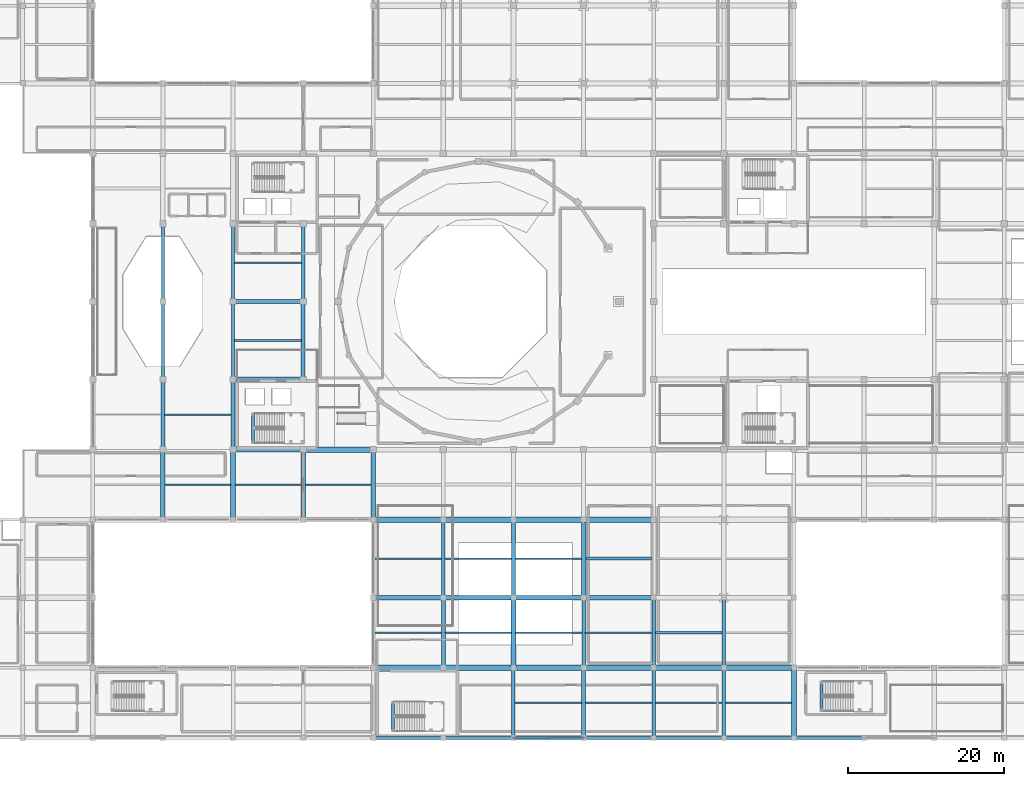
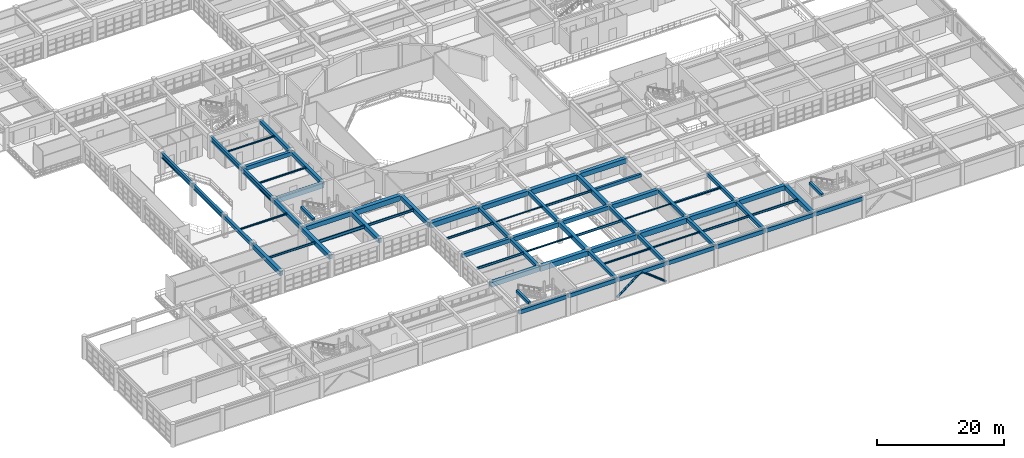
# One storey, part 42 of 133: 72 beams, 2 members.
"""IFC4 building model written with IfcOpenShell, lengths in metres."""

from ifc_helpers import new_model, si_unit, direction, frame, origin, origin_2d, place, context, subcontext, project, spatial, rectangle, hollow_circle, i_section, extrude, material, material_profile, profile_set, type_object, element, save


model = new_model("IFC4")

# Units and contexts
model_context = context("Model", 3, precision=1e-05, world=origin(), true_north=direction((0.0, 1.0)))
body_context = subcontext(model_context, "Body", "Model", "MODEL_VIEW")
ifc_project = project(units=[si_unit("LENGTHUNIT", "METRE"), si_unit("AREAUNIT", "SQUARE_METRE"), si_unit("VOLUMEUNIT", "CUBIC_METRE"), si_unit("PLANEANGLEUNIT", "RADIAN"), si_unit("MASSUNIT", "GRAM", prefix="KILO")], contexts=[model_context])

# Site, building, storey
site_placement = place(None, origin())
site = spatial("IfcSite", under=ifc_project, at=site_placement, CompositionType="ELEMENT")
building_placement = place(site_placement, origin())
building = spatial("IfcBuilding", under=site, at=building_placement, Name="Miravela Opera House", CompositionType="ELEMENT")
storey_placement = place(building_placement, frame((0.0, 0.0, 5.10009765625)))
storey = spatial("IfcBuildingStorey", under=building, at=storey_placement, Name="L01", CompositionType="ELEMENT", Elevation=5.10009765625)

# Beams
ifc_material_1 = material(Name="Concrete C35/45", Category="concrete")
ifc_material_profile_1 = material_profile(ifc_material_1, rectangle(XDim=0.39990234375, YDim=0.60009765625, at=origin_2d()), Name="RC-BM-400X600")
ifc_profile_set_1 = profile_set([ifc_material_profile_1])
beam_type_1 = type_object("IfcBeamType", Name="STR-BM-RC400X600", PredefinedType="JOIST", material=ifc_profile_set_1)
beam_1_placement = place(storey_placement, frame((90.284912109375, 23.0, 3.85986328125), z_axis=(1.0, 0.0, 0.0), x_axis=(0.0, 1.0, 0.0)))
element("IfcBeam", 1, at=beam_1_placement, inside=storey, type_object=beam_type_1, Name="Secondary Floor Joist L01 11-12/C-D", PredefinedType="JOIST", context=body_context, shape_type="SweptSolid", body=[
    extrude(rectangle(XDim=0.39990234375, YDim=0.60009765625, at=origin_2d()), origin(), (0.0, 0.0, 1.0), 8.43017578125),
])
for number, where, z_axis, x_axis, name in (
    (2, (47.5400390625, 37.800048828125, 4.119873046875), (0.0, 1.0, 0.0), (-1.0, 0.0, 0.0), "Stair K2 Opening Header Trimmer Beam 02"),
    (3, (65.5400390625, 0.800048828125, 4.119873046875), (0.0, 1.0, 0.0), (-1.0, 0.0, 0.0), "Stair K6 Opening Header Trimmer Beam 02"),
):
    element("IfcBeam", number, at=place(storey_placement, frame(where, z_axis=z_axis, x_axis=x_axis)), inside=storey, type_object=beam_type_1, Name=name, PredefinedType="JOIST", context=body_context, shape_type="SweptSolid", body=[
        extrude(rectangle(XDim=0.39990234375, YDim=0.60009765625, at=origin_2d()), origin(), (0.0, 0.0, 1.0), 3.8798828125),
    ])
beam_2_placement = place(storey_placement, frame((120.5400390625, 3.39990234375, 4.119873046875), z_axis=(0.0, 1.0, 0.0), x_axis=(-1.0, 0.0, 0.0)))
element("IfcBeam", 4, at=beam_2_placement, inside=storey, type_object=beam_type_1, Name="Stair ST-10 Opening Header Trimmer Beam 02", PredefinedType="JOIST", context=body_context, shape_type="SweptSolid", body=[
    extrude(rectangle(XDim=0.39990234375, YDim=0.60009765625, at=origin_2d()), origin(), (0.0, 0.0, 1.0), 3.880126953125),
])
ifc_material_profile_2 = material_profile(ifc_material_1, rectangle(XDim=0.449951171875, YDim=0.64990234375, at=origin_2d()), Name="RC-BM-450X650")
ifc_profile_set_2 = profile_set([ifc_material_profile_2])
beam_type_2 = type_object("IfcBeamType", Name="STR-BM-RC450X650", PredefinedType="BEAM", material=ifc_profile_set_2)
for number, where, z_axis, x_axis, name in (
    (5, (81.0, 0.080078125, 3.8349609375), (0.0, 1.0, 0.0), (-1.0, 0.0, 0.0), "Floor Girder L01 10/A-B"),
    (6, (90.0, 9.080078125, 3.8349609375), (0.0, 1.0, 0.0), (-1.0, 0.0, 0.0), "Floor Girder L01 11/B-C"),
    (7, (99.0, 9.080078125, 3.8349609375), (0.0, 1.0, 0.0), (-1.0, 0.0, 0.0), "Floor Girder L01 12/B-C"),
    (8, (108.0, 9.080078125, 3.8349609375), (0.0, 1.0, 0.0), (-1.0, 0.0, 0.0), "Floor Girder L01 13/B-C"),
):
    element("IfcBeam", number, at=place(storey_placement, frame(where, z_axis=z_axis, x_axis=x_axis)), inside=storey, type_object=beam_type_2, Name=name, PredefinedType="BEAM", context=body_context, shape_type="SweptSolid", body=[
        extrude(rectangle(XDim=0.449951171875, YDim=0.64990234375, at=origin_2d()), origin(), (0.0, 0.0, 1.0), 8.83984375),
    ])
ifc_material_profile_3 = material_profile(ifc_material_1, rectangle(XDim=0.47998046875, YDim=0.679931640625, at=origin_2d()), Name="RC-BM-480X680")
ifc_profile_set_3 = profile_set([ifc_material_profile_3])
beam_type_3 = type_object("IfcBeamType", Name="STR-BM-RC480X680", PredefinedType="BEAM", material=ifc_profile_set_3)
for number, where, z_axis, x_axis, name in (
    (9, (54.0, 56.080078125, 3.81982421875), (0.0, 1.0, 0.0), (-1.0, 0.0, 0.0), "Floor Girder L01 7/G-H"),
    (10, (72.0, 18.080078125, 3.81982421875), (0.0, 1.0, 0.0), (-1.0, 0.0, 0.0), "Floor Girder L01 9/C-D"),
):
    element("IfcBeam", number, at=place(storey_placement, frame(where, z_axis=z_axis, x_axis=x_axis)), inside=storey, type_object=beam_type_3, Name=name, PredefinedType="BEAM", context=body_context, shape_type="SweptSolid", body=[
        extrude(rectangle(XDim=0.47998046875, YDim=0.679931640625, at=origin_2d()), origin(), (0.0, 0.0, 1.0), 9.83984375),
    ])
for number, where, z_axis, x_axis, name in (
    (11, (90.0, 0.080078125, 3.81982421875), (0.0, 1.0, 0.0), (-1.0, 0.0, 0.0), "Floor Girder L01 11/A-B"),
    (12, (99.0, 0.080078125, 3.81982421875), (0.0, 1.0, 0.0), (-1.0, 0.0, 0.0), "Floor Girder L01 12/A-B"),
    (13, (108.0, 0.080078125, 3.81982421875), (0.0, 1.0, 0.0), (-1.0, 0.0, 0.0), "Floor Girder L01 13/A-B"),
):
    element("IfcBeam", number, at=place(storey_placement, frame(where, z_axis=z_axis, x_axis=x_axis)), inside=storey, type_object=beam_type_3, Name=name, PredefinedType="BEAM", context=body_context, shape_type="SweptSolid", body=[
        extrude(rectangle(XDim=0.47998046875, YDim=0.679931640625, at=origin_2d()), origin(), (0.0, 0.0, 1.0), 8.83984375),
    ])
ifc_material_profile_4 = material_profile(ifc_material_1, rectangle(XDim=0.5, YDim=0.699951171875, at=origin_2d()), Name="RC-BM-500X700")
ifc_profile_set_4 = profile_set([ifc_material_profile_4])
beam_type_4 = type_object("IfcBeamType", Name="STR-BM-RC500X700", PredefinedType="BEAM", material=ifc_profile_set_4)
for number, where, z_axis, x_axis, name in (
    (14, (36.0, 37.080078125, 3.809814453125), (0.0, 1.0, 0.0), (-1.0, 0.0, 0.0), "Floor Girder L01 5/E-F"),
    (15, (45.0, 37.080078125, 3.809814453125), (0.0, 1.0, 0.0), (-1.0, 0.0, 0.0), "Floor Girder L01 6/E-F"),
):
    element("IfcBeam", number, at=place(storey_placement, frame(where, z_axis=z_axis, x_axis=x_axis)), inside=storey, type_object=beam_type_4, Name=name, PredefinedType="BEAM", context=body_context, shape_type="SweptSolid", body=[
        extrude(rectangle(XDim=0.5, YDim=0.699951171875, at=origin_2d()), origin(), (0.0, 0.0, 1.0), 8.83984375),
    ])
beam_3_placement = place(storey_placement, frame((54.0, 46.080078125, 3.809814453125), z_axis=(0.0, 1.0, 0.0), x_axis=(-1.0, 0.0, 0.0)))
element("IfcBeam", 16, at=beam_3_placement, inside=storey, type_object=beam_type_4, Name="Floor Girder L01 7/F-G", PredefinedType="BEAM", context=body_context, shape_type="SweptSolid", body=[
    extrude(rectangle(XDim=0.5, YDim=0.699951171875, at=origin_2d()), origin(), (0.0, 0.0, 1.0), 9.83984375),
])
beam_4_placement = place(storey_placement, frame((72.0, 9.080078125, 3.809814453125), z_axis=(0.0, 1.0, 0.0), x_axis=(-1.0, 0.0, 0.0)))
element("IfcBeam", 17, at=beam_4_placement, inside=storey, type_object=beam_type_4, Name="Floor Girder L01 9/B-C", PredefinedType="BEAM", context=body_context, shape_type="SweptSolid", body=[
    extrude(rectangle(XDim=0.5, YDim=0.699951171875, at=origin_2d()), origin(), (0.0, 0.0, 1.0), 8.83984375),
])
beam_5_placement = place(storey_placement, frame((81.0, 18.080078125, 3.809814453125), z_axis=(0.0, 1.0, 0.0), x_axis=(-1.0, 0.0, 0.0)))
element("IfcBeam", 18, at=beam_5_placement, inside=storey, type_object=beam_type_4, Name="Floor Girder L01 10/C-D", PredefinedType="BEAM", context=body_context, shape_type="SweptSolid", body=[
    extrude(rectangle(XDim=0.5, YDim=0.699951171875, at=origin_2d()), origin(), (0.0, 0.0, 1.0), 9.83984375),
])
ifc_material_profile_5 = material_profile(ifc_material_1, rectangle(XDim=0.550048828125, YDim=0.75, at=origin_2d()), Name="RC-BM-550X750")
ifc_profile_set_5 = profile_set([ifc_material_profile_5])
beam_type_5 = type_object("IfcBeamType", Name="STR-BM-RC550X750", PredefinedType="BEAM", material=ifc_profile_set_5)
for number, where, z_axis, x_axis, name in (
    (19, (45.080078125, 56.0, 3.784912109375), (1.0, 0.0, 0.0), (0.0, 1.0, 0.0), "Floor Girder L01 6-7/G"),
    (20, (63.080078125, 18.0, 3.784912109375), (1.0, 0.0, 0.0), (0.0, 1.0, 0.0), "Floor Girder L01 8-9/C"),
    (21, (81.080078125, 18.0, 3.784912109375), (1.0, 0.0, 0.0), (0.0, 1.0, 0.0), "Floor Girder L01 10-11/C"),
):
    element("IfcBeam", number, at=place(storey_placement, frame(where, z_axis=z_axis, x_axis=x_axis)), inside=storey, type_object=beam_type_5, Name=name, PredefinedType="BEAM", context=body_context, shape_type="SweptSolid", body=[
        extrude(rectangle(XDim=0.550048828125, YDim=0.75, at=origin_2d()), origin(), (0.0, 0.0, 1.0), 8.83984375),
    ])
ifc_material_2 = material(Name="Concrete C40/50", Category="concrete")
ifc_material_profile_6 = material_profile(ifc_material_2, rectangle(XDim=0.60009765625, YDim=0.85009765625, at=origin_2d()), Name="RC-BM-600X850")
ifc_profile_set_6 = profile_set([ifc_material_profile_6])
beam_type_6 = type_object("IfcBeamType", Name="STR-BM-RC600X850", PredefinedType="BEAM", material=ifc_profile_set_6)
for number, where, z_axis, x_axis, name in (
    (22, (45.080078125, 37.0, 3.73486328125), (1.0, 0.0, 0.0), (0.0, 1.0, 0.0), "Floor Girder L01 6-7/E"),
    (23, (72.080078125, 18.0, 3.73486328125), (1.0, 0.0, 0.0), (0.0, 1.0, 0.0), "Floor Girder L01 9-10/C"),
    (24, (90.080078125, 18.0, 3.73486328125), (1.0, 0.0, 0.0), (0.0, 1.0, 0.0), "Floor Girder L01 11-12/C"),
    (25, (36.0, 28.080078125, 3.73486328125), (0.0, 1.0, 0.0), (-1.0, 0.0, 0.0), "Floor Girder L01 5/D-E"),
    (26, (45.0, 28.080078125, 3.73486328125), (0.0, 1.0, 0.0), (-1.0, 0.0, 0.0), "Floor Girder L01 6/D-E"),
    (27, (54.0, 28.080078125, 3.73486328125), (0.0, 1.0, 0.0), (-1.0, 0.0, 0.0), "Floor Girder L01 7/D-E"),
    (28, (63.0, 28.080078125, 3.73486328125), (0.0, 1.0, 0.0), (-1.0, 0.0, 0.0), "Floor Girder L01 8/D-E"),
    (29, (81.0, 9.080078125, 3.73486328125), (0.0, 1.0, 0.0), (-1.0, 0.0, 0.0), "Floor Girder L01 10/B-C"),
):
    element("IfcBeam", number, at=place(storey_placement, frame(where, z_axis=z_axis, x_axis=x_axis)), inside=storey, type_object=beam_type_6, Name=name, PredefinedType="BEAM", context=body_context, shape_type="SweptSolid", body=[
        extrude(rectangle(XDim=0.60009765625, YDim=0.85009765625, at=origin_2d()), origin(), (0.0, 0.0, 1.0), 8.83984375),
    ])
beam_6_placement = place(storey_placement, frame((90.0, 18.080078125, 3.73486328125), z_axis=(0.0, 1.0, 0.0), x_axis=(-1.0, 0.0, 0.0)))
element("IfcBeam", 30, at=beam_6_placement, inside=storey, type_object=beam_type_6, Name="Floor Girder L01 11/C-D", PredefinedType="BEAM", context=body_context, shape_type="SweptSolid", body=[
    extrude(rectangle(XDim=0.60009765625, YDim=0.85009765625, at=origin_2d()), origin(), (0.0, 0.0, 1.0), 9.83984375),
])
beam_7_placement = place(storey_placement, frame((117.0, 0.080078125, 3.73486328125), z_axis=(0.0, 1.0, 0.0), x_axis=(-1.0, 0.0, 0.0)))
element("IfcBeam", 31, at=beam_7_placement, inside=storey, type_object=beam_type_6, Name="Floor Girder L01 14/A-B", PredefinedType="BEAM", context=body_context, shape_type="SweptSolid", body=[
    extrude(rectangle(XDim=0.60009765625, YDim=0.85009765625, at=origin_2d()), origin(), (0.0, 0.0, 1.0), 8.83984375),
])
ifc_material_profile_7 = material_profile(ifc_material_2, rectangle(XDim=0.64990234375, YDim=0.89990234375, at=origin_2d()), Name="RC-BM-650X900")
ifc_profile_set_7 = profile_set([ifc_material_profile_7])
beam_type_7 = type_object("IfcBeamType", Name="STR-BM-RC650X900", PredefinedType="BEAM", material=ifc_profile_set_7)
for number, where, z_axis, x_axis, name in (
    (32, (45.080078125, 46.0, 3.7099609375), (1.0, 0.0, 0.0), (0.0, 1.0, 0.0), "Floor Girder L01 6-7/F"),
    (33, (63.080078125, 9.0, 3.7099609375), (1.0, 0.0, 0.0), (0.0, 1.0, 0.0), "Floor Girder L01 8-9/B"),
    (34, (72.080078125, 28.0, 3.7099609375), (1.0, 0.0, 0.0), (0.0, 1.0, 0.0), "Floor Girder L01 9-10/D"),
    (35, (81.080078125, 9.0, 3.7099609375), (1.0, 0.0, 0.0), (0.0, 1.0, 0.0), "Floor Girder L01 10-11/B"),
    (36, (90.080078125, 28.0, 3.7099609375), (1.0, 0.0, 0.0), (0.0, 1.0, 0.0), "Floor Girder L01 11-12/D"),
    (37, (99.080078125, 9.0, 3.7099609375), (1.0, 0.0, 0.0), (0.0, 1.0, 0.0), "Floor Girder L01 12-13/B"),
    (38, (108.080078125, 9.0, 3.7099609375), (1.0, 0.0, 0.0), (0.0, 1.0, 0.0), "Floor Girder L01 13-14/B"),
):
    element("IfcBeam", number, at=place(storey_placement, frame(where, z_axis=z_axis, x_axis=x_axis)), inside=storey, type_object=beam_type_7, Name=name, PredefinedType="BEAM", context=body_context, shape_type="SweptSolid", body=[
        extrude(rectangle(XDim=0.64990234375, YDim=0.89990234375, at=origin_2d()), origin(), (0.0, 0.0, 1.0), 8.83984375),
    ])
ifc_material_profile_8 = material_profile(ifc_material_2, rectangle(XDim=0.699951171875, YDim=1.0, at=origin_2d()), Name="RC-BM-700X1000")
ifc_profile_set_8 = profile_set([ifc_material_profile_8])
beam_type_8 = type_object("IfcBeamType", Name="STR-BM-RC700X1000", PredefinedType="BEAM", material=ifc_profile_set_8)
for number, where, z_axis, x_axis, name in (
    (39, (54.080078125, 37.0, 3.659912109375), (1.0, 0.0, 0.0), (0.0, 1.0, 0.0), "Floor Girder L01 7-8/E"),
    (40, (63.080078125, 28.0, 3.659912109375), (1.0, 0.0, 0.0), (0.0, 1.0, 0.0), "Floor Girder L01 8-9/D"),
    (41, (72.080078125, 9.0, 3.659912109375), (1.0, 0.0, 0.0), (0.0, 1.0, 0.0), "Floor Girder L01 9-10/B"),
    (42, (81.080078125, 28.0, 3.659912109375), (1.0, 0.0, 0.0), (0.0, 1.0, 0.0), "Floor Girder L01 10-11/D"),
    (43, (90.080078125, 9.0, 3.659912109375), (1.0, 0.0, 0.0), (0.0, 1.0, 0.0), "Floor Girder L01 11-12/B"),
):
    element("IfcBeam", number, at=place(storey_placement, frame(where, z_axis=z_axis, x_axis=x_axis)), inside=storey, type_object=beam_type_8, Name=name, PredefinedType="BEAM", context=body_context, shape_type="SweptSolid", body=[
        extrude(rectangle(XDim=0.699951171875, YDim=1.0, at=origin_2d()), origin(), (0.0, 0.0, 1.0), 8.83984375),
    ])
ifc_material_3 = material(Name="Structural steel ASTM A992 Gr. 50", Category="steel")
ifc_material_profile_9 = material_profile(ifc_material_3, i_section(OverallWidth=0.1650390625, OverallDepth=0.200927734375, WebThickness=0.006103515625, FlangeThickness=0.01025390625, FilletRadius=0.010009765625, at=origin_2d()), Name="W200X36")
ifc_profile_set_9 = profile_set([ifc_material_profile_9])
beam_type_9 = type_object("IfcBeamType", Name="STR-BM-W200X36", PredefinedType="LINTEL", material=ifc_profile_set_9)
beam_8_placement = place(storey_placement, frame((72.22509765625, 23.0, 4.059326171875), z_axis=(1.0, 0.0, 0.0), x_axis=(0.0, 1.0, 0.0)))
element("IfcBeam", 44, at=beam_8_placement, inside=storey, type_object=beam_type_9, Name="Secondary Floor Joist L01 9-10/C-D", PredefinedType="LINTEL", context=body_context, shape_type="SweptSolid", body=[
    extrude(i_section(OverallWidth=0.1650390625, OverallDepth=0.200927734375, WebThickness=0.006103515625, FlangeThickness=0.01025390625, FilletRadius=0.010009765625, at=origin_2d()), origin(), (0.0, 0.0, 1.0), 8.539794921875),
])
beam_9_placement = place(storey_placement, frame((90.2099609375, 13.5, 4.059326171875), z_axis=(1.0, 0.0, 0.0), x_axis=(0.0, 1.0, 0.0)))
element("IfcBeam", 45, at=beam_9_placement, inside=storey, type_object=beam_type_9, Name="Secondary Floor Joist L01 11-12/B-C", PredefinedType="LINTEL", context=body_context, shape_type="SweptSolid", body=[
    extrude(i_section(OverallWidth=0.1650390625, OverallDepth=0.200927734375, WebThickness=0.006103515625, FlangeThickness=0.01025390625, FilletRadius=0.010009765625, at=origin_2d()), origin(), (0.0, 0.0, 1.0), 8.580078125),
])
ifc_material_profile_10 = material_profile(ifc_material_3, i_section(OverallWidth=0.201904296875, OverallDepth=0.2470703125, WebThickness=0.00732421875, FlangeThickness=0.010986328125, FilletRadius=0.011962890625, at=origin_2d()), Name="W250X49")
ifc_profile_set_10 = profile_set([ifc_material_profile_10])
beam_type_10 = type_object("IfcBeamType", Name="STR-BM-W250X49", PredefinedType="LINTEL", material=ifc_profile_set_10)
beam_10_placement = place(storey_placement, frame((45.194091796875, 61.0, 4.036376953125), z_axis=(1.0, 0.0, 0.0), x_axis=(0.0, 1.0, 0.0)))
element("IfcBeam", 46, at=beam_10_placement, inside=storey, type_object=beam_type_10, Name="Secondary Floor Joist L01 6-7/G-H", PredefinedType="LINTEL", context=body_context, shape_type="SweptSolid", body=[
    extrude(i_section(OverallWidth=0.201904296875, OverallDepth=0.2470703125, WebThickness=0.00732421875, FlangeThickness=0.010986328125, FilletRadius=0.011962890625, at=origin_2d()), origin(), (0.0, 0.0, 1.0), 8.580810546875),
])
beam_11_placement = place(storey_placement, frame((72.235107421875, 13.5, 4.036376953125), z_axis=(1.0, 0.0, 0.0), x_axis=(0.0, 1.0, 0.0)))
element("IfcBeam", 47, at=beam_11_placement, inside=storey, type_object=beam_type_10, Name="Secondary Floor Joist L01 9-10/B-C", PredefinedType="LINTEL", context=body_context, shape_type="SweptSolid", body=[
    extrude(i_section(OverallWidth=0.201904296875, OverallDepth=0.2470703125, WebThickness=0.00732421875, FlangeThickness=0.010986328125, FilletRadius=0.011962890625, at=origin_2d()), origin(), (0.0, 0.0, 1.0), 8.47998046875),
])
beam_12_placement = place(storey_placement, frame((90.22509765625, 4.5, 4.036376953125), z_axis=(1.0, 0.0, 0.0), x_axis=(0.0, 1.0, 0.0)))
element("IfcBeam", 48, at=beam_12_placement, inside=storey, type_object=beam_type_10, Name="Secondary Floor Joist L01 11-12/A-B", PredefinedType="LINTEL", context=body_context, shape_type="SweptSolid", body=[
    extrude(i_section(OverallWidth=0.201904296875, OverallDepth=0.2470703125, WebThickness=0.00732421875, FlangeThickness=0.010986328125, FilletRadius=0.011962890625, at=origin_2d()), origin(), (0.0, 0.0, 1.0), 8.5498046875),
])
ifc_material_profile_11 = material_profile(ifc_material_3, i_section(OverallWidth=0.25390625, OverallDepth=0.2529296875, WebThickness=0.008544921875, FlangeThickness=0.01416015625, FilletRadius=0.011962890625, at=origin_2d()), Name="W250X73")
ifc_profile_set_11 = profile_set([ifc_material_profile_11])
beam_type_11 = type_object("IfcBeamType", Name="STR-BM-W250X73", PredefinedType="JOIST", material=ifc_profile_set_11)
beam_13_placement = place(storey_placement, frame((45.194091796875, 51.0, 4.033447265625), z_axis=(1.0, 0.0, 0.0), x_axis=(0.0, 1.0, 0.0)))
element("IfcBeam", 49, at=beam_13_placement, inside=storey, type_object=beam_type_11, Name="Secondary Floor Joist L01 6-7/F-G", PredefinedType="JOIST", context=body_context, shape_type="SweptSolid", body=[
    extrude(i_section(OverallWidth=0.25390625, OverallDepth=0.2529296875, WebThickness=0.008544921875, FlangeThickness=0.01416015625, FilletRadius=0.011962890625, at=origin_2d()), origin(), (0.0, 0.0, 1.0), 8.57080078125),
])
ifc_material_profile_12 = material_profile(ifc_material_3, i_section(OverallWidth=0.202880859375, OverallDepth=0.302978515625, WebThickness=0.007568359375, FlangeThickness=0.01318359375, FilletRadius=0.012939453125, at=origin_2d()), Name="W310X60")
ifc_profile_set_12 = profile_set([ifc_material_profile_12])
beam_type_12 = type_object("IfcBeamType", Name="STR-BM-W310X60", PredefinedType="JOIST", material=ifc_profile_set_12)
beam_14_placement = place(storey_placement, frame((36.235107421875, 41.5, 4.00830078125), z_axis=(1.0, 0.0, 0.0), x_axis=(0.0, 1.0, 0.0)))
element("IfcBeam", 50, at=beam_14_placement, inside=storey, type_object=beam_type_12, Name="Secondary Floor Joist L01 5-6/E-F", PredefinedType="JOIST", context=body_context, shape_type="SweptSolid", body=[
    extrude(i_section(OverallWidth=0.202880859375, OverallDepth=0.302978515625, WebThickness=0.007568359375, FlangeThickness=0.01318359375, FilletRadius=0.012939453125, at=origin_2d()), origin(), (0.0, 0.0, 1.0), 8.52978515625),
])
beam_15_placement = place(storey_placement, frame((81.2099609375, 4.5, 4.00830078125), z_axis=(1.0, 0.0, 0.0), x_axis=(0.0, 1.0, 0.0)))
element("IfcBeam", 51, at=beam_15_placement, inside=storey, type_object=beam_type_12, Name="Secondary Floor Joist L01 10-11/A-B", PredefinedType="JOIST", context=body_context, shape_type="SweptSolid", body=[
    extrude(i_section(OverallWidth=0.202880859375, OverallDepth=0.302978515625, WebThickness=0.007568359375, FlangeThickness=0.01318359375, FilletRadius=0.012939453125, at=origin_2d()), origin(), (0.0, 0.0, 1.0), 8.56494140625),
])
ifc_material_profile_13 = material_profile(ifc_material_3, i_section(OverallWidth=0.304931640625, OverallDepth=0.30810546875, WebThickness=0.010009765625, FlangeThickness=0.015380859375, FilletRadius=0.013916015625, at=origin_2d()), Name="W310X97")
ifc_profile_set_13 = profile_set([ifc_material_profile_13])
beam_type_13 = type_object("IfcBeamType", Name="STR-BM-W310X97", PredefinedType="JOIST", material=ifc_profile_set_13)
beam_16_placement = place(storey_placement, frame((99.2099609375, 13.5, 4.005859375), z_axis=(1.0, 0.0, 0.0), x_axis=(0.0, 1.0, 0.0)))
element("IfcBeam", 52, at=beam_16_placement, inside=storey, type_object=beam_type_13, Name="Secondary Floor Joist L01 12-13/B-C", PredefinedType="JOIST", context=body_context, shape_type="SweptSolid", body=[
    extrude(i_section(OverallWidth=0.304931640625, OverallDepth=0.30810546875, WebThickness=0.010009765625, FlangeThickness=0.015380859375, FilletRadius=0.013916015625, at=origin_2d()), origin(), (0.0, 0.0, 1.0), 8.580078125),
])
ifc_material_profile_14 = material_profile(ifc_material_3, i_section(OverallWidth=0.177978515625, OverallDepth=0.406982421875, WebThickness=0.0078125, FlangeThickness=0.0126953125, FilletRadius=0.012939453125, at=origin_2d()), Name="W410X60")
ifc_profile_set_14 = profile_set([ifc_material_profile_14])
beam_type_14 = type_object("IfcBeamType", Name="STR-BM-W410X60", PredefinedType="JOIST", material=ifc_profile_set_14)
beam_17_placement = place(storey_placement, frame((63.2099609375, 23.0, 3.956298828125), z_axis=(1.0, 0.0, 0.0), x_axis=(0.0, 1.0, 0.0)))
element("IfcBeam", 53, at=beam_17_placement, inside=storey, type_object=beam_type_14, Name="Secondary Floor Joist L01 8-9/C-D", PredefinedType="JOIST", context=body_context, shape_type="SweptSolid", body=[
    extrude(i_section(OverallWidth=0.177978515625, OverallDepth=0.406982421875, WebThickness=0.0078125, FlangeThickness=0.0126953125, FilletRadius=0.012939453125, at=origin_2d()), origin(), (0.0, 0.0, 1.0), 8.56494140625),
])
beam_18_placement = place(storey_placement, frame((81.235107421875, 23.0, 3.956298828125), z_axis=(1.0, 0.0, 0.0), x_axis=(0.0, 1.0, 0.0)))
element("IfcBeam", 54, at=beam_18_placement, inside=storey, type_object=beam_type_14, Name="Secondary Floor Joist L01 10-11/C-D", PredefinedType="JOIST", context=body_context, shape_type="SweptSolid", body=[
    extrude(i_section(OverallWidth=0.177978515625, OverallDepth=0.406982421875, WebThickness=0.0078125, FlangeThickness=0.0126953125, FilletRadius=0.012939453125, at=origin_2d()), origin(), (0.0, 0.0, 1.0), 8.47998046875),
])
beam_19_placement = place(storey_placement, frame((99.22509765625, 4.5, 3.956298828125), z_axis=(1.0, 0.0, 0.0), x_axis=(0.0, 1.0, 0.0)))
element("IfcBeam", 55, at=beam_19_placement, inside=storey, type_object=beam_type_14, Name="Secondary Floor Joist L01 12-13/A-B", PredefinedType="JOIST", context=body_context, shape_type="SweptSolid", body=[
    extrude(i_section(OverallWidth=0.177978515625, OverallDepth=0.406982421875, WebThickness=0.0078125, FlangeThickness=0.0126953125, FilletRadius=0.012939453125, at=origin_2d()), origin(), (0.0, 0.0, 1.0), 8.5498046875),
])
ifc_material_profile_15 = material_profile(ifc_material_3, i_section(OverallWidth=0.180908203125, OverallDepth=0.4169921875, WebThickness=0.010986328125, FlangeThickness=0.018310546875, FilletRadius=0.013916015625, at=origin_2d()), Name="W410X85")
ifc_profile_set_15 = profile_set([ifc_material_profile_15])
beam_type_15 = type_object("IfcBeamType", Name="STR-BM-W410X85", PredefinedType="JOIST", material=ifc_profile_set_15)
beam_20_placement = place(storey_placement, frame((36.284912109375, 32.5, 3.951416015625), z_axis=(1.0, 0.0, 0.0), x_axis=(0.0, 1.0, 0.0)))
element("IfcBeam", 56, at=beam_20_placement, inside=storey, type_object=beam_type_15, Name="Secondary Floor Joist L01 5-6/D-E", PredefinedType="JOIST", context=body_context, shape_type="SweptSolid", body=[
    extrude(i_section(OverallWidth=0.180908203125, OverallDepth=0.4169921875, WebThickness=0.010986328125, FlangeThickness=0.018310546875, FilletRadius=0.013916015625, at=origin_2d()), origin(), (0.0, 0.0, 1.0), 8.43017578125),
])
beam_21_placement = place(storey_placement, frame((108.22509765625, 4.5, 3.951416015625), z_axis=(1.0, 0.0, 0.0), x_axis=(0.0, 1.0, 0.0)))
element("IfcBeam", 57, at=beam_21_placement, inside=storey, type_object=beam_type_15, Name="Secondary Floor Joist L01 13-14/A-B", PredefinedType="JOIST", context=body_context, shape_type="SweptSolid", body=[
    extrude(i_section(OverallWidth=0.180908203125, OverallDepth=0.4169921875, WebThickness=0.010986328125, FlangeThickness=0.018310546875, FilletRadius=0.013916015625, at=origin_2d()), origin(), (0.0, 0.0, 1.0), 8.489990234375),
])
ifc_material_profile_16 = material_profile(ifc_material_3, i_section(OverallWidth=0.154052734375, OverallDepth=0.458984375, WebThickness=0.009033203125, FlangeThickness=0.015380859375, FilletRadius=0.013916015625, at=origin_2d()), Name="W460X68")
ifc_profile_set_16 = profile_set([ifc_material_profile_16])
beam_type_16 = type_object("IfcBeamType", Name="STR-BM-W460X68", PredefinedType="JOIST", material=ifc_profile_set_16)
beam_22_placement = place(storey_placement, frame((63.22509765625, 13.5, 3.930419921875), z_axis=(1.0, 0.0, 0.0), x_axis=(0.0, 1.0, 0.0)))
element("IfcBeam", 58, at=beam_22_placement, inside=storey, type_object=beam_type_16, Name="Secondary Floor Joist L01 8-9/B-C", PredefinedType="JOIST", context=body_context, shape_type="SweptSolid", body=[
    extrude(i_section(OverallWidth=0.154052734375, OverallDepth=0.458984375, WebThickness=0.009033203125, FlangeThickness=0.015380859375, FilletRadius=0.013916015625, at=origin_2d()), origin(), (0.0, 0.0, 1.0), 8.539794921875),
])
beam_23_placement = place(storey_placement, frame((81.284912109375, 13.5, 3.930419921875), z_axis=(1.0, 0.0, 0.0), x_axis=(0.0, 1.0, 0.0)))
element("IfcBeam", 59, at=beam_23_placement, inside=storey, type_object=beam_type_16, Name="Secondary Floor Joist L01 10-11/B-C", PredefinedType="JOIST", context=body_context, shape_type="SweptSolid", body=[
    extrude(i_section(OverallWidth=0.154052734375, OverallDepth=0.458984375, WebThickness=0.009033203125, FlangeThickness=0.015380859375, FilletRadius=0.013916015625, at=origin_2d()), origin(), (0.0, 0.0, 1.0), 8.505126953125),
])
ifc_material_profile_17 = material_profile(ifc_material_3, i_section(OverallWidth=0.19091796875, OverallDepth=0.4599609375, WebThickness=0.010009765625, FlangeThickness=0.01611328125, FilletRadius=0.014892578125, at=origin_2d()), Name="W460X82")
ifc_profile_set_17 = profile_set([ifc_material_profile_17])
beam_type_17 = type_object("IfcBeamType", Name="STR-BM-W460X82", PredefinedType="JOIST", material=ifc_profile_set_17)
beam_24_placement = place(storey_placement, frame((54.284912109375, 32.5, 3.929931640625), z_axis=(1.0, 0.0, 0.0), x_axis=(0.0, 1.0, 0.0)))
element("IfcBeam", 60, at=beam_24_placement, inside=storey, type_object=beam_type_17, Name="Secondary Floor Joist L01 7-8/D-E", PredefinedType="JOIST", context=body_context, shape_type="SweptSolid", body=[
    extrude(i_section(OverallWidth=0.19091796875, OverallDepth=0.4599609375, WebThickness=0.010009765625, FlangeThickness=0.01611328125, FilletRadius=0.014892578125, at=origin_2d()), origin(), (0.0, 0.0, 1.0), 8.43017578125),
])
ifc_material_profile_18 = material_profile(ifc_material_3, i_section(OverallWidth=0.22802734375, OverallDepth=0.60791015625, WebThickness=0.01123046875, FlangeThickness=0.017333984375, FilletRadius=0.01611328125, at=origin_2d()), Name="W610X113")
ifc_profile_set_18 = profile_set([ifc_material_profile_18])
beam_type_18 = type_object("IfcBeamType", Name="STR-BM-W610X113", PredefinedType="BEAM", material=ifc_profile_set_18)
beam_25_placement = place(storey_placement, frame((45.284912109375, 32.5, 3.85595703125), z_axis=(1.0, 0.0, 0.0), x_axis=(0.0, 1.0, 0.0)))
element("IfcBeam", 61, at=beam_25_placement, inside=storey, type_object=beam_type_18, Name="Secondary Floor Joist L01 6-7/D-E", PredefinedType="BEAM", context=body_context, shape_type="SweptSolid", body=[
    extrude(i_section(OverallWidth=0.22802734375, OverallDepth=0.60791015625, WebThickness=0.01123046875, FlangeThickness=0.017333984375, FilletRadius=0.01611328125, at=origin_2d()), origin(), (0.0, 0.0, 1.0), 8.43017578125),
])
ifc_material_profile_19 = material_profile(ifc_material_3, i_section(OverallWidth=0.41796875, OverallDepth=0.912109375, WebThickness=0.019287109375, FlangeThickness=0.031982421875, FilletRadius=0.02392578125, at=origin_2d()), Name="W920X342")
ifc_profile_set_19 = profile_set([ifc_material_profile_19])
beam_type_19 = type_object("IfcBeamType", Name="STR-BM-W920X342", PredefinedType="BEAM", material=ifc_profile_set_19)
for number, where, z_axis, x_axis, name in (
    (62, (36.0, 46.080078125, 3.703857421875), (0.0, 1.0, 0.0), (-1.0, 0.0, 0.0), "Floor Girder L01 5/F-G"),
    (63, (36.0, 56.080078125, 3.703857421875), (0.0, 1.0, 0.0), (-1.0, 0.0, 0.0), "Floor Girder L01 5/G-H"),
    (64, (45.0, 46.080078125, 3.703857421875), (0.0, 1.0, 0.0), (-1.0, 0.0, 0.0), "Floor Girder L01 6/F-G"),
    (65, (45.0, 56.080078125, 3.703857421875), (0.0, 1.0, 0.0), (-1.0, 0.0, 0.0), "Floor Girder L01 6/G-H"),
):
    element("IfcBeam", number, at=place(storey_placement, frame(where, z_axis=z_axis, x_axis=x_axis)), inside=storey, type_object=beam_type_19, Name=name, PredefinedType="BEAM", context=body_context, shape_type="SweptSolid", body=[
        extrude(i_section(OverallWidth=0.41796875, OverallDepth=0.912109375, WebThickness=0.019287109375, FlangeThickness=0.031982421875, FilletRadius=0.02392578125, at=origin_2d()), origin(), (0.0, 0.0, 1.0), 9.83984375),
    ])

# Members
ifc_material_4 = material(Name="Hollow structural steel ASTM A500 Gr. C", Category="steel")
ifc_material_profile_20 = material_profile(ifc_material_4, hollow_circle(Radius=0.203125, WallThickness=0.011962890625, at=origin_2d()), Name="CHS406X12")
ifc_profile_set_20 = profile_set([ifc_material_profile_20])
member_type = type_object("IfcMemberType", Name="STR-MEM-BRACE-CHS406", PredefinedType="BRACE", material=ifc_profile_set_20)
for number, where, z_axis, x_axis, name in (
    (66, (81.0, 0.0, 0.2998046875), (0.788501476184, 0.0, 0.615032862581), (0.0, 1.0, 0.0), "Concentric Braced Frame BF-S2 L01 Left Brace"),
    (67, (90.0, 0.0, 0.2998046875), (-0.788501476184, 0.0, 0.615032862581), (0.0, -1.0, 0.0), "Concentric Braced Frame BF-S2 L01 Right Brace"),
):
    element("IfcMember", number, at=place(storey_placement, frame(where, z_axis=z_axis, x_axis=x_axis)), inside=storey, type_object=member_type, Name=name, PredefinedType="BRACE", context=body_context, shape_type="SweptSolid", body=[
        extrude(hollow_circle(Radius=0.203125, WallThickness=0.011962890625, at=origin_2d()), origin(), (0.0, 0.0, 1.0), 5.70703125),
    ])

# Beams
ifc_material_profile_21 = material_profile(ifc_material_1, rectangle(XDim=0.39990234375, YDim=0.75, at=origin_2d()), Name="RC-SPN-400X750")
ifc_profile_set_21 = profile_set([ifc_material_profile_21])
beam_type_20 = type_object("IfcBeamType", Name="STR-SPN-RC400X750", PredefinedType="SPANDREL", material=ifc_profile_set_21)
for number, where, z_axis, x_axis, name in (
    (68, (63.080078125, 0.0, 3.784912109375), (1.0, 0.0, 0.0), (0.0, 1.0, 0.0), "Floor Girder L01 8-9/A"),
    (69, (72.080078125, 0.0, 3.784912109375), (1.0, 0.0, 0.0), (0.0, 1.0, 0.0), "Floor Girder L01 9-10/A"),
    (70, (81.080078125, 0.0, 3.784912109375), (1.0, 0.0, 0.0), (0.0, 1.0, 0.0), "Floor Girder L01 10-11/A"),
    (71, (90.080078125, 0.0, 3.784912109375), (1.0, 0.0, 0.0), (0.0, 1.0, 0.0), "Floor Girder L01 11-12/A"),
    (72, (99.080078125, 0.0, 3.784912109375), (1.0, 0.0, 0.0), (0.0, 1.0, 0.0), "Floor Girder L01 12-13/A"),
    (73, (108.080078125, 0.0, 3.784912109375), (1.0, 0.0, 0.0), (0.0, 1.0, 0.0), "Floor Girder L01 13-14/A"),
    (74, (117.080078125, 0.0, 3.784912109375), (1.0, 0.0, 0.0), (0.0, 1.0, 0.0), "Floor Girder L01 14-15/A"),
):
    element("IfcBeam", number, at=place(storey_placement, frame(where, z_axis=z_axis, x_axis=x_axis)), inside=storey, type_object=beam_type_20, Name=name, PredefinedType="SPANDREL", context=body_context, shape_type="SweptSolid", body=[
        extrude(rectangle(XDim=0.39990234375, YDim=0.75, at=origin_2d()), origin(), (0.0, 0.0, 1.0), 8.83984375),
    ])

save(model, "model.ifc")
